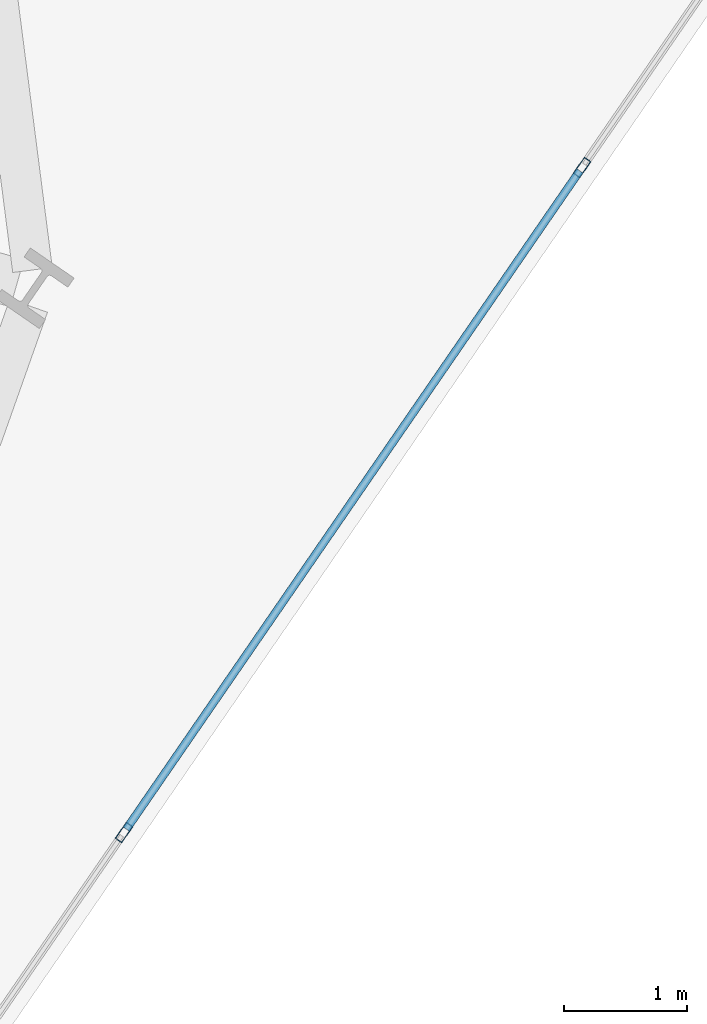
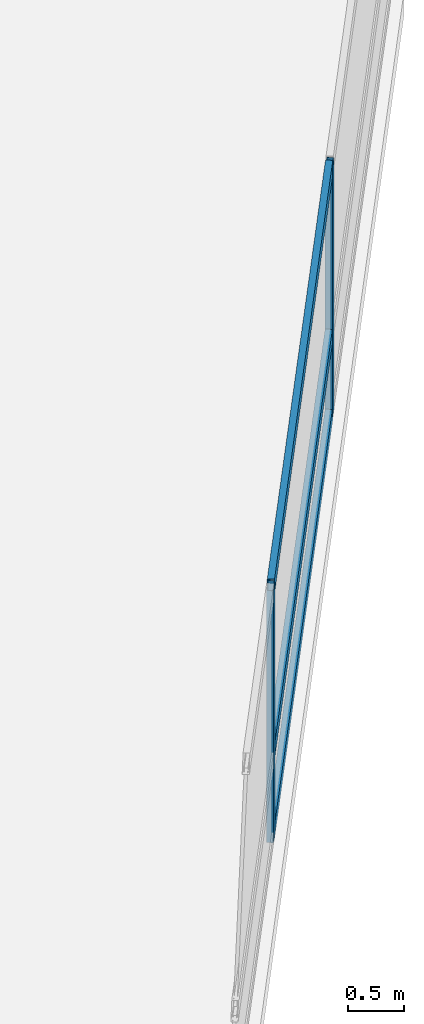
# One storey, part 9 of 25: 5 members, 1 element without a shape of its own.
"""IFC4 building model written with IfcOpenShell, lengths in metres."""

from ifc_helpers import new_model, si_unit, direction, frame, origin, origin_2d, place, context, subcontext, project, spatial, hollow_rectangle, extrude, material, layer, layer_set, material_profile, profile_set, type_object, element, aggregate, save


model = new_model("IFC4")

# Units and contexts
model_context = context("Model", 3, precision=1e-05, world=origin(), true_north=direction((0.0, 1.0)))
body_context = subcontext(model_context, "Body", "Model", "MODEL_VIEW")
ifc_project = project(units=[si_unit("LENGTHUNIT", "METRE"), si_unit("AREAUNIT", "SQUARE_METRE"), si_unit("VOLUMEUNIT", "CUBIC_METRE"), si_unit("PLANEANGLEUNIT", "RADIAN"), si_unit("MASSUNIT", "GRAM", prefix="KILO")], contexts=[model_context])

# Site, building, storey
site_placement = place(None, origin())
site = spatial("IfcSite", under=ifc_project, at=site_placement, CompositionType="ELEMENT")
building_placement = place(site_placement, origin())
building = spatial("IfcBuilding", under=site, at=building_placement, Name="Varnelok Gate Tower", CompositionType="ELEMENT")
storey_placement = place(building_placement, frame((0.0, 0.0, 52.89990234375)))
storey = spatial("IfcBuildingStorey", under=building, at=storey_placement, Name="L12", CompositionType="ELEMENT", Elevation=52.89990234375)

# Curtain wall, members
ifc_material = material(Name="Anodized Aluminum Alloy 6063-T6", Category="aluminium")
ifc_layer = layer(ifc_material, 0.179931640625)
ifc_layer_set = layer_set([ifc_layer], Name="Anodized Aluminum Alloy 6063-T6")
curtain_wall_type = type_object("IfcCurtainWallType", Name="CW3-HOTEL-VISION", PredefinedType="USERDEFINED", material=ifc_layer_set)
curtain_wall_placement = place(storey_placement, origin())
curtain_wall = element("IfcCurtainWall", 1, at=curtain_wall_placement, inside=storey, type_object=curtain_wall_type, Name="L12 East End Vision Curtain Wall", ObjectType="UNITISED CURTAIN WALL", PredefinedType="USERDEFINED")
ifc_material_profile_1 = material_profile(ifc_material, hollow_rectangle(XDim=0.06494140625, YDim=0.159912109375, WallThickness=0.00390625, at=origin_2d()), Name="ALU160X65X4")
ifc_profile_set_1 = profile_set([ifc_material_profile_1], Name="Anodized Aluminum Alloy 6063-T6")
member_type_1 = type_object("IfcMemberType", Name="CW-MULL-160", PredefinedType="MULLION", material=ifc_profile_set_1)
member_1_placement = place(storey_placement, frame((78.8173828125, 13.958251953125, 0.0), z_axis=(0.0, 0.0, 1.0), x_axis=(0.823532685111, -0.567268822124, 0.0)))
member_1 = element("IfcMember", 2, at=member_1_placement, type_object=member_type_1, Name="CW3 mullion 2", PredefinedType="MULLION", context=body_context, shape_type="SweptSolid", body=[
    extrude(hollow_rectangle(XDim=0.06494140625, YDim=0.159912109375, WallThickness=0.00390625, at=origin_2d()), origin(), (0.0, 0.0, 1.0), 2.72998046875),
])
member_2_placement = place(storey_placement, frame((75.09228515625, 8.55029296875, 0.0), z_axis=(0.0, 0.0, 1.0), x_axis=(0.823532685111, -0.567268822124, 0.0)))
member_2 = element("IfcMember", 3, at=member_2_placement, type_object=member_type_1, Name="CW3 mullion 3", PredefinedType="MULLION", context=body_context, shape_type="SweptSolid", body=[
    extrude(hollow_rectangle(XDim=0.06494140625, YDim=0.159912109375, WallThickness=0.00390625, at=origin_2d()), origin(), (0.0, 0.0, 1.0), 2.72998046875),
])
ifc_material_profile_2 = material_profile(ifc_material, hollow_rectangle(XDim=0.06494140625, YDim=0.159912109375, WallThickness=0.00390625, at=origin_2d()), Name="ALU160X65X4")
ifc_profile_set_2 = profile_set([ifc_material_profile_2], Name="Anodized Aluminum Alloy 6063-T6")
member_type_2 = type_object("IfcMemberType", Name="CW-TRAN-160", PredefinedType="USERDEFINED", material=ifc_profile_set_2)
member_3_placement = place(storey_placement, frame((78.798828125, 13.931396484375, 0.03271484375), z_axis=(-0.567279204469, -0.823525533409, 0.0), x_axis=(0.823525533409, -0.567279204469, 0.0)))
member_3 = element("IfcMember", 4, at=member_3_placement, type_object=member_type_2, Name="CW3 transom 2.1", ObjectType="TRANSOM", PredefinedType="USERDEFINED", context=body_context, shape_type="SweptSolid", body=[
    extrude(hollow_rectangle(XDim=0.06494140625, YDim=0.159912109375, WallThickness=0.00390625, at=origin_2d()), origin(), (0.0, 0.0, 1.0), 6.501708984375),
])
member_4_placement = place(storey_placement, frame((78.798828125, 13.931396484375, 0.900146484375), z_axis=(-0.567279204469, -0.823525533409, 0.0), x_axis=(0.823525533409, -0.567279204469, 0.0)))
member_4 = element("IfcMember", 5, at=member_4_placement, type_object=member_type_2, Name="CW3 transom 2.2", ObjectType="TRANSOM", PredefinedType="USERDEFINED", context=body_context, shape_type="SweptSolid", body=[
    extrude(hollow_rectangle(XDim=0.06494140625, YDim=0.159912109375, WallThickness=0.00390625, at=origin_2d()), origin(), (0.0, 0.0, 1.0), 6.501708984375),
])
member_5_placement = place(storey_placement, frame((78.798828125, 13.931396484375, 2.697509765625), z_axis=(-0.567279204469, -0.823525533409, 0.0), x_axis=(0.823525533409, -0.567279204469, 0.0)))
member_5 = element("IfcMember", 6, at=member_5_placement, type_object=member_type_2, Name="CW3 transom 2.3", ObjectType="TRANSOM", PredefinedType="USERDEFINED", context=body_context, shape_type="SweptSolid", body=[
    extrude(hollow_rectangle(XDim=0.06494140625, YDim=0.159912109375, WallThickness=0.00390625, at=origin_2d()), origin(), (0.0, 0.0, 1.0), 6.501708984375),
])
aggregate(curtain_wall, [member_1, member_2, member_3, member_4, member_5])

save(model, "model.ifc")
